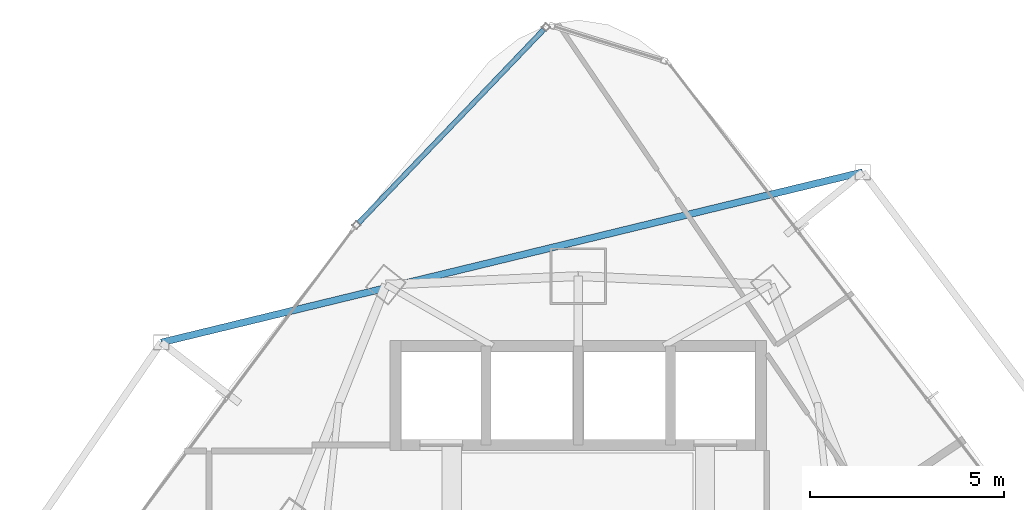
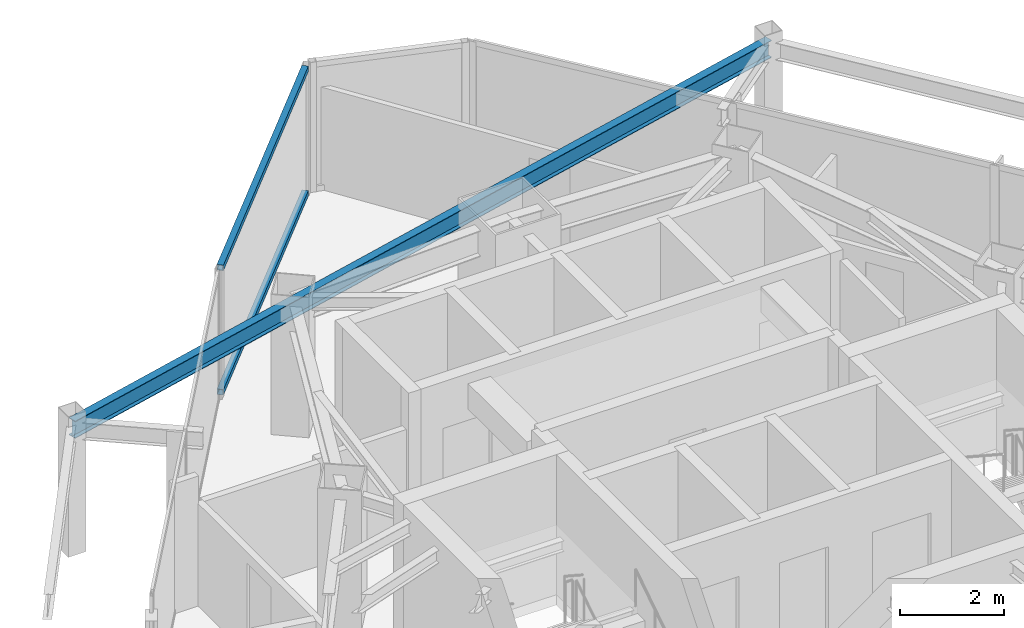
# One storey, part 20 of 29: 2 members, 1 beam, 1 element without a shape of its own.
"""IFC4 building model written with IfcOpenShell, lengths in metres."""

from ifc_helpers import new_model, si_unit, direction, frame, origin, origin_2d, place, context, subcontext, project, spatial, hollow_rectangle, i_section, extrude, material, layer, layer_set, material_profile, profile_set, type_object, element, aggregate, save


model = new_model("IFC4")

# Units and contexts
model_context = context("Model", 3, precision=1e-05, world=origin(), true_north=direction((0.0, 1.0)))
body_context = subcontext(model_context, "Body", "Model", "MODEL_VIEW")
ifc_project = project(units=[si_unit("LENGTHUNIT", "METRE"), si_unit("AREAUNIT", "SQUARE_METRE"), si_unit("VOLUMEUNIT", "CUBIC_METRE"), si_unit("PLANEANGLEUNIT", "RADIAN"), si_unit("MASSUNIT", "GRAM", prefix="KILO")], contexts=[model_context])

# Site, building, storey
site_placement = place(None, origin())
site = spatial("IfcSite", under=ifc_project, at=site_placement, CompositionType="ELEMENT")
building_placement = place(site_placement, origin())
building = spatial("IfcBuilding", under=site, at=building_placement, Name="Orvanel Arch Residences", CompositionType="ELEMENT")
storey_placement = place(building_placement, frame((0.0, 0.0, 163.85009765625)))
storey = spatial("IfcBuildingStorey", under=building, at=storey_placement, Name="L46", CompositionType="ELEMENT", Elevation=163.85009765625)

# Beam
ifc_material_1 = material(Name="Structural steel AS/NZS 3679.1 Grade 300 (300 MPa)", Category="steel")
ifc_material_profile_1 = material_profile(ifc_material_1, i_section(OverallWidth=0.177978515625, OverallDepth=0.406005859375, WebThickness=0.0078125, FlangeThickness=0.0126953125, at=origin_2d()), Name="410UB59.7")
ifc_profile_set_1 = profile_set([ifc_material_profile_1], Name="Structural steel AS/NZS 3679.1 Grade 300 (300 MPa)")
beam_type = type_object("IfcBeamType", Name="OB-410UB-EXT", PredefinedType="SPANDREL", material=ifc_profile_set_1)
beam_placement = place(storey_placement, frame((40.31494140625, 44.072998046875, 2.85693359375), z_axis=(-0.97175723661, -0.235982781354, 0.0), x_axis=(0.235982781354, -0.97175723661, 0.0)))
element("IfcBeam", 1, at=beam_placement, inside=storey, type_object=beam_type, Name="L46 Outer Perimeter Floor Ring Beam 12", PredefinedType="SPANDREL", context=body_context, shape_type="SweptSolid", body=[
    extrude(i_section(OverallWidth=0.177978515625, OverallDepth=0.406005859375, WebThickness=0.0078125, FlangeThickness=0.0126953125, at=origin_2d()), origin(), (0.0, 0.0, 1.0), 18.5654296875),
])

# Curtain wall, members
ifc_material_2 = material(Name="Bronze-anodised aluminium AA6063-T6", Category="aluminium")
ifc_layer = layer(ifc_material_2, 0.18994140625)
ifc_layer_set = layer_set([ifc_layer], Name="Bronze-anodised aluminium AA6063-T6")
curtain_wall_type = type_object("IfcCurtainWallType", Name="CW5-CRN-SYS", PredefinedType="NOTDEFINED", material=ifc_layer_set)
curtain_wall_placement = place(storey_placement, origin())
curtain_wall = element("IfcCurtainWall", 2, at=curtain_wall_placement, inside=storey, type_object=curtain_wall_type, Name="L46 CW5-CRN-SYS Unitised Curtain Wall", PredefinedType="NOTDEFINED")
ifc_material_profile_2 = material_profile(ifc_material_2, hollow_rectangle(XDim=0.1298828125, YDim=0.1298828125, WallThickness=0.00439453125, at=origin_2d()), Name="ALU130x130x4.5")
ifc_profile_set_2 = profile_set([ifc_material_profile_2], Name="Bronze-anodised aluminium AA6063-T6")
member_type = type_object("IfcMemberType", Name="TRN-130x130", PredefinedType="USERDEFINED", material=ifc_profile_set_2)
member_1_placement = place(storey_placement, frame((32.115234375, 47.74560546875, 0.06494140625), z_axis=(-0.691526319565, -0.722351264516, 0.0), x_axis=(0.722351264516, -0.691526319565, 0.0)))
member_1 = element("IfcMember", 3, at=member_1_placement, type_object=member_type, Name="CW-S5 transom 1.1", ObjectType="TRANSOM", PredefinedType="USERDEFINED", context=body_context, shape_type="SweptSolid", body=[
    extrude(hollow_rectangle(XDim=0.1298828125, YDim=0.1298828125, WallThickness=0.00439453125, at=origin_2d()), origin(), (0.0, 0.0, 1.0), 6.8984375),
])
member_2_placement = place(storey_placement, frame((32.115234375, 47.74560546875, 2.994873046875), z_axis=(-0.691526319565, -0.722351264516, 0.0), x_axis=(0.722351264516, -0.691526319565, 0.0)))
member_2 = element("IfcMember", 4, at=member_2_placement, type_object=member_type, Name="CW-S5 transom 1.2", ObjectType="TRANSOM", PredefinedType="USERDEFINED", context=body_context, shape_type="SweptSolid", body=[
    extrude(hollow_rectangle(XDim=0.1298828125, YDim=0.1298828125, WallThickness=0.00439453125, at=origin_2d()), origin(), (0.0, 0.0, 1.0), 6.8984375),
])
aggregate(curtain_wall, [member_1, member_2])

save(model, "model.ifc")
